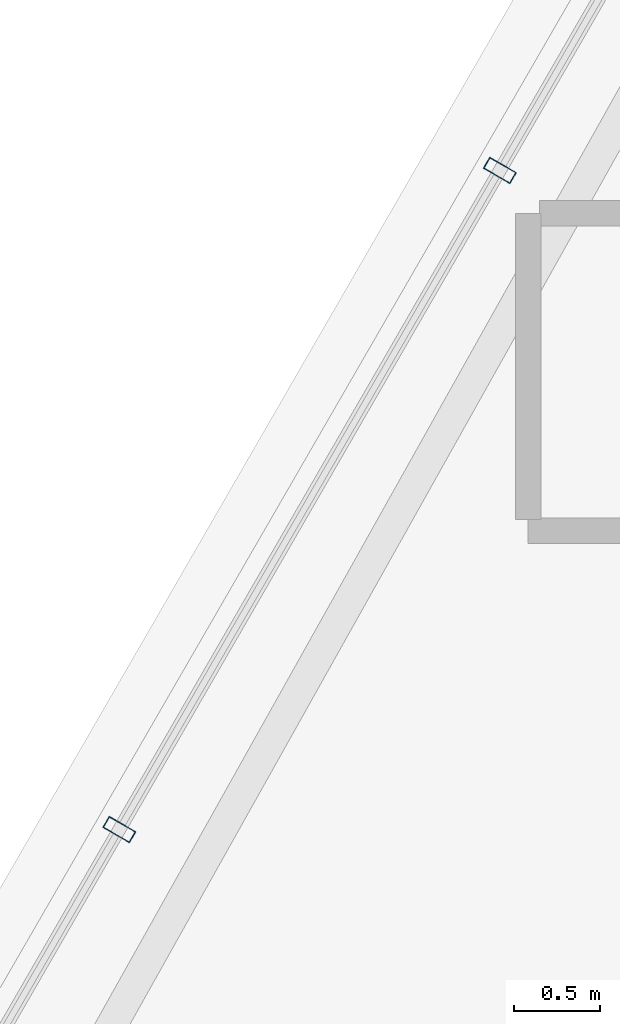
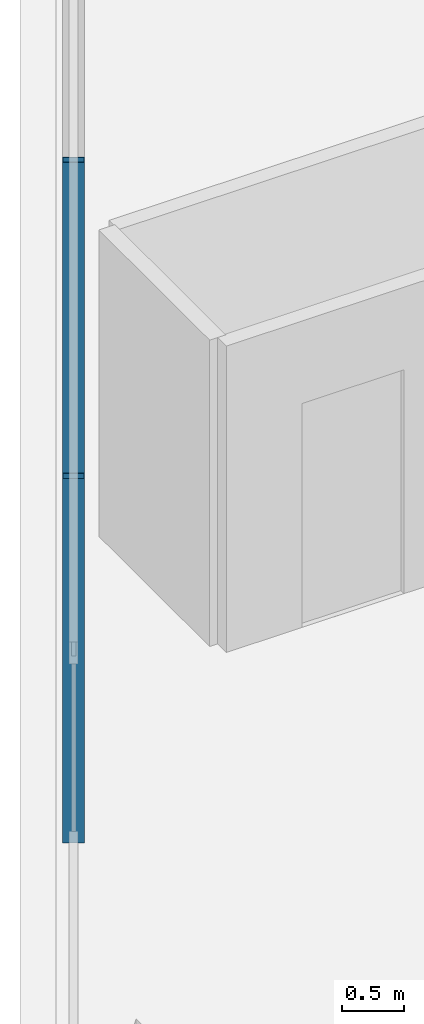
# One storey, part 6 of 35: 2 members, 1 element without a shape of its own.
"""IFC4 building model written with IfcOpenShell, lengths in metres."""

from ifc_helpers import new_model, si_unit, direction, frame, origin, origin_2d, place, context, subcontext, project, spatial, hollow_rectangle, extrude, material, layer, layer_set, material_profile, profile_set, type_object, element, aggregate, save


model = new_model("IFC4")

# Units and contexts
model_context = context("Model", 3, precision=1e-05, world=origin(), true_north=direction((0.0, 1.0)))
body_context = subcontext(model_context, "Body", "Model", "MODEL_VIEW")
ifc_project = project(units=[si_unit("LENGTHUNIT", "METRE"), si_unit("AREAUNIT", "SQUARE_METRE"), si_unit("VOLUMEUNIT", "CUBIC_METRE"), si_unit("PLANEANGLEUNIT", "RADIAN"), si_unit("MASSUNIT", "GRAM", prefix="KILO")], contexts=[model_context])

# Site, building, storey
site_placement = place(None, origin())
site = spatial("IfcSite", under=ifc_project, at=site_placement, CompositionType="ELEMENT")
building_placement = place(site_placement, origin())
building = spatial("IfcBuilding", under=site, at=building_placement, Name="Ndaravel Arena Tower", CompositionType="ELEMENT")
storey_placement = place(building_placement, frame((0.0, 0.0, 271.199951171875)))
storey = spatial("IfcBuildingStorey", under=building, at=storey_placement, Name="L66", CompositionType="ELEMENT", Elevation=271.199951171875)

# Curtain wall, members
ifc_material_1 = material(Name="Aluminium", Category="aluminium")
ifc_layer = layer(ifc_material_1, 0.179931640625)
ifc_layer_set = layer_set([ifc_layer], Name="Aluminium")
curtain_wall_type = type_object("IfcCurtainWallType", Name="CW-SYS-03", PredefinedType="NOTDEFINED", material=ifc_layer_set)
curtain_wall_placement = place(storey_placement, origin())
curtain_wall = element("IfcCurtainWall", 1, at=curtain_wall_placement, inside=storey, type_object=curtain_wall_type, Name="L66 Faceted Crystal Curtain Wall CW-L66-E05", PredefinedType="NOTDEFINED")
ifc_material_2 = material(Name="Aluminium", Category="aluminium")
ifc_material_profile = material_profile(ifc_material_2, hollow_rectangle(XDim=0.074951171875, YDim=0.179931640625, WallThickness=0.00390625, at=origin_2d()), Name="CW MULLION 75x180x4")
ifc_profile_set = profile_set([ifc_material_profile], Name="Aluminium")
member_type = type_object("IfcMemberType", Name="MEM-CW-MUL180", PredefinedType="MULLION", material=ifc_profile_set)
member_1_placement = place(storey_placement, frame((23.931396484375, 17.25, 0.0), z_axis=(0.0, 0.0, 1.0), x_axis=(-0.5, -0.866025403784, 0.0)))
member_1 = element("IfcMember", 2, at=member_1_placement, type_object=member_type, Name="CW-L66-E05 Mullion 07", PredefinedType="MULLION", context=body_context, shape_type="SweptSolid", body=[
    extrude(hollow_rectangle(XDim=0.074951171875, YDim=0.179931640625, WallThickness=0.00390625, at=origin_2d()), origin(), (0.0, 0.0, 1.0), 3.580078125),
])
member_2_placement = place(storey_placement, frame((21.7138671875, 13.40869140625, 0.0), z_axis=(0.0, 0.0, 1.0), x_axis=(-0.5, -0.866025403784, 0.0)))
member_2 = element("IfcMember", 3, at=member_2_placement, type_object=member_type, Name="CW-L66-E05 Mullion 08", PredefinedType="MULLION", context=body_context, shape_type="SweptSolid", body=[
    extrude(hollow_rectangle(XDim=0.074951171875, YDim=0.179931640625, WallThickness=0.00390625, at=origin_2d()), origin(), (0.0, 0.0, 1.0), 3.580078125),
])
aggregate(curtain_wall, [member_1, member_2])

save(model, "model.ifc")
